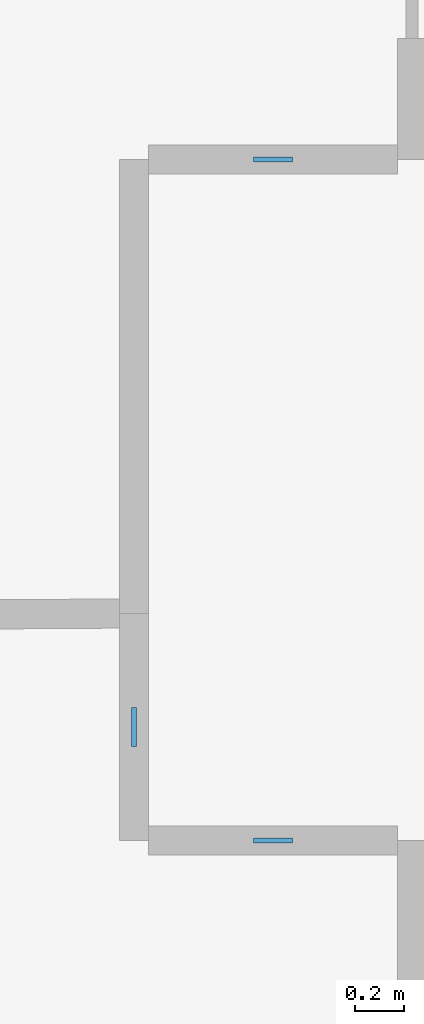
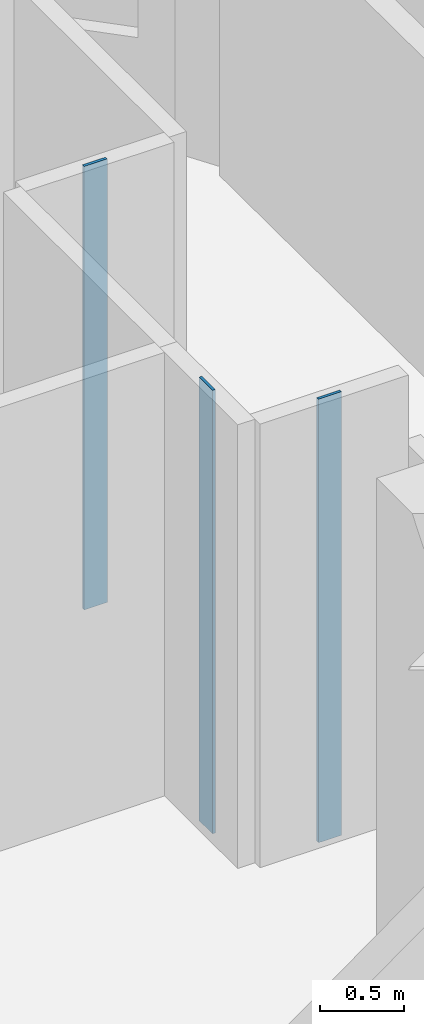
# One storey, part 4 of 11: 3 plates.
"""IFC4 building model written with IfcOpenShell, lengths in metres."""

from ifc_helpers import new_model, si_unit, direction, frame, origin, origin_2d, place, context, subcontext, project, spatial, rectangle, extrude, material, layer, layer_set, type_object, element, save


model = new_model("IFC4")

# Units and contexts
model_context = context("Model", 3, precision=1e-05, world=origin(), true_north=direction((0.0, 1.0)))
body_context = subcontext(model_context, "Body", "Model", "MODEL_VIEW")
ifc_project = project(units=[si_unit("LENGTHUNIT", "METRE"), si_unit("AREAUNIT", "SQUARE_METRE"), si_unit("VOLUMEUNIT", "CUBIC_METRE"), si_unit("PLANEANGLEUNIT", "RADIAN"), si_unit("MASSUNIT", "GRAM", prefix="KILO")], contexts=[model_context])

# Site, building, storey
site_placement = place(None, origin())
site = spatial("IfcSite", under=ifc_project, at=site_placement, CompositionType="ELEMENT")
building_placement = place(site_placement, origin())
building = spatial("IfcBuilding", under=site, at=building_placement, Name="Miruveldt Soraemaru", CompositionType="ELEMENT")
storey_placement = place(building_placement, frame((0.0, 0.0, 149.39990234375)))
storey = spatial("IfcBuildingStorey", under=building, at=storey_placement, Name="L41", CompositionType="ELEMENT", Elevation=149.39990234375)

# Plates
ifc_material = material(Name="Anodised aluminium EN AW-6063 T6", Category="aluminium")
ifc_layer = layer(ifc_material, 0.02001953125, Name="Anodised aluminium EN AW-6063 T6", Category="aluminium")
ifc_layer_set = layer_set([ifc_layer], Name="Anodised aluminium EN AW-6063 T6")
plate_type = type_object("IfcPlateType", Name="PLT-PART-TRIM", PredefinedType="SHEET", material=ifc_layer_set)
for number, where, z_axis, x_axis, name in (
    (1, (43.978515625, 61.929931640625, 0.0), (0.0, 0.0, 1.0), (1.0, 0.0, 0.0), "L41 Partition Step Corner Trim Plate 017"),
    (2, (43.978515625, 64.72998046875, 0.0), (0.0, 0.0, 1.0), (-1.0, 0.0, 0.0), "L41 Partition Step Corner Trim Plate 021"),
    (3, (43.406982421875, 62.396484375, 0.0), (0.0, 0.0, 1.0), (0.0, -1.0, 0.0), "L41 Partition Step Corner Trim Plate 016"),
):
    element("IfcPlate", number, at=place(storey_placement, frame(where, z_axis=z_axis, x_axis=x_axis)), inside=storey, type_object=plate_type, Name=name, PredefinedType="SHEET", context=body_context, shape_type="SweptSolid", body=[
        extrude(rectangle(XDim=0.159912109375, YDim=0.02001953125, at=origin_2d()), origin(), (0.0, 0.0, 1.0), 3.235107421875),
    ])

save(model, "model.ifc")
